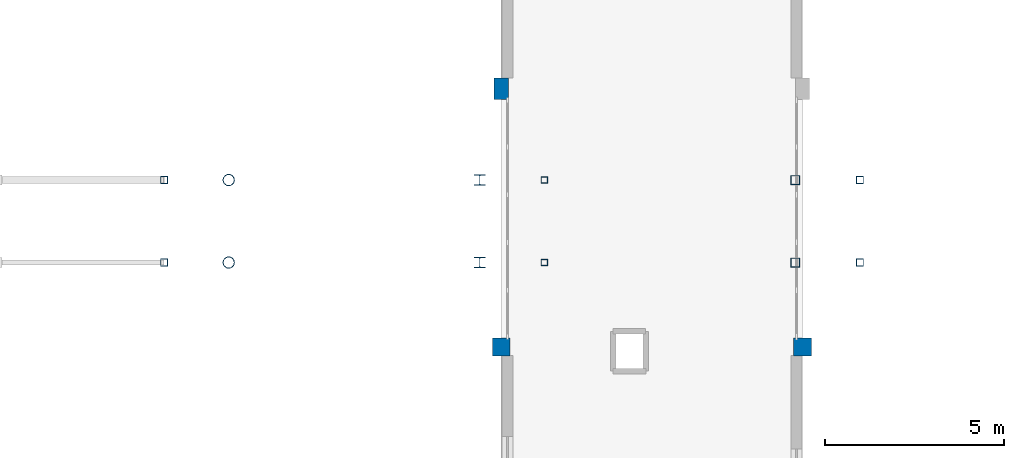
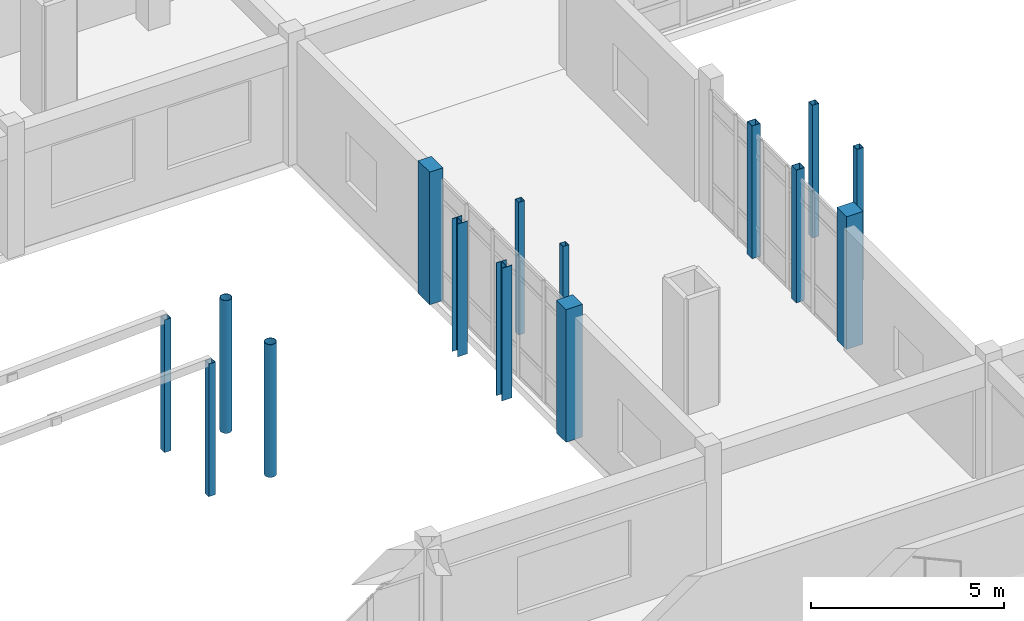
# One storey, part 15 of 89: 15 columns.
"""IFC4 building model written with IfcOpenShell, lengths in metres."""

from ifc_helpers import new_model, si_unit, direction, frame, origin, origin_2d, place, context, subcontext, project, spatial, rectangle, hollow_rectangle, hollow_circle, i_section, extrude, material, material_profile, profile_set, type_object, element, save


model = new_model("IFC4")

# Units and contexts
model_context = context("Model", 3, precision=1e-05, world=origin(), true_north=direction((0.0, 1.0)))
body_context = subcontext(model_context, "Body", "Model", "MODEL_VIEW")
ifc_project = project(units=[si_unit("LENGTHUNIT", "METRE"), si_unit("AREAUNIT", "SQUARE_METRE"), si_unit("VOLUMEUNIT", "CUBIC_METRE"), si_unit("PLANEANGLEUNIT", "RADIAN"), si_unit("MASSUNIT", "GRAM", prefix="KILO")], contexts=[model_context])

# Site, building, storey
site_placement = place(None, origin())
site = spatial("IfcSite", under=ifc_project, at=site_placement, CompositionType="ELEMENT")
building_placement = place(site_placement, origin())
building = spatial("IfcBuilding", under=site, at=building_placement, Name="Malvenik Polytechnic", CompositionType="ELEMENT")
storey_placement = place(building_placement, frame((0.0, 0.0, 13.5)))
storey = spatial("IfcBuildingStorey", under=building, at=storey_placement, Name="L03", CompositionType="ELEMENT", Elevation=13.5)

# Columns
ifc_material_1 = material(Name="Concrete C35/45", Category="concrete")
ifc_material_profile_1 = material_profile(ifc_material_1, rectangle(XDim=0.5, YDim=0.5, at=origin_2d()), Name="RC COL 500x500")
ifc_profile_set_1 = profile_set([ifc_material_profile_1], Name="Concrete C35/45")
column_type_1 = type_object("IfcColumnType", Name="STR-COL-C-08", PredefinedType="COLUMN", material=ifc_profile_set_1)
for number, where, z_axis, x_axis, name in (
    (1, (75.60009765625, 100.800048828125, 0.0), (0.0, 0.0, 1.0), (1.0, 0.0, 0.0), "Column C-08 L03 (75.6,100.8)"),
    (2, (84.0, 100.800048828125, 0.0), (0.0, 0.0, 1.0), (1.0, 0.0, 0.0), "Column C-08 L03 (84.0,100.8)"),
):
    element("IfcColumn", number, at=place(storey_placement, frame(where, z_axis=z_axis, x_axis=x_axis)), inside=storey, type_object=column_type_1, Name=name, PredefinedType="COLUMN", context=body_context, shape_type="SweptSolid", body=[
        extrude(rectangle(XDim=0.5, YDim=0.5, at=origin_2d()), origin(), (0.0, 0.0, 1.0), 4.199951171875),
    ])
ifc_material_profile_2 = material_profile(ifc_material_1, rectangle(XDim=0.39990234375, YDim=0.60009765625, at=origin_2d()), Name="RC COL 600x400")
ifc_profile_set_2 = profile_set([ifc_material_profile_2], Name="Concrete C35/45")
column_type_2 = type_object("IfcColumnType", Name="STR-COL-C-15", PredefinedType="COLUMN", material=ifc_profile_set_2)
column_placement = place(storey_placement, frame((75.60009765625, 108.0, 0.0), z_axis=(0.0, 0.0, 1.0), x_axis=(1.0, 0.0, 0.0)))
element("IfcColumn", 3, at=column_placement, inside=storey, type_object=column_type_2, Name="Column C-15 L03 (75.6,108.0)", PredefinedType="COLUMN", context=body_context, shape_type="SweptSolid", body=[
    extrude(rectangle(XDim=0.39990234375, YDim=0.60009765625, at=origin_2d()), origin(), (0.0, 0.0, 1.0), 4.199951171875),
])
ifc_material_2 = material(Name="Steel S355J2H", Category="steel")
ifc_material_profile_3 = material_profile(ifc_material_2, hollow_rectangle(XDim=0.25, YDim=0.25, WallThickness=0.010009765625, at=origin_2d()), Name="SHS 250x250x10.0")
ifc_profile_set_3 = profile_set([ifc_material_profile_3], Name="Steel S355J2H")
column_type_3 = type_object("IfcColumnType", Name="STR-SCOL-SC-01", PredefinedType="COLUMN", material=ifc_profile_set_3)
for number, where, z_axis, x_axis, name in (
    (4, (83.800048828125, 103.14990234375, 0.0), (0.0, 0.0, 1.0), (1.0, 0.0, 0.0), "Bridge-Ramp Support Column SC-01 L03"),
    (5, (83.800048828125, 105.449951171875, 0.0), (0.0, 0.0, 1.0), (1.0, 0.0, 0.0), "Bridge-Ramp Support Column SC-01 L03"),
):
    element("IfcColumn", number, at=place(storey_placement, frame(where, z_axis=z_axis, x_axis=x_axis)), inside=storey, type_object=column_type_3, Name=name, PredefinedType="COLUMN", context=body_context, shape_type="SweptSolid", body=[
        extrude(hollow_rectangle(XDim=0.25, YDim=0.25, WallThickness=0.010009765625, at=origin_2d()), origin(), (0.0, 0.0, 1.0), 4.199951171875),
    ])
ifc_material_profile_4 = material_profile(ifc_material_2, hollow_rectangle(XDim=0.199951171875, YDim=0.199951171875, WallThickness=0.010009765625, at=origin_2d()), Name="SHS 200x200x10.0")
ifc_profile_set_4 = profile_set([ifc_material_profile_4], Name="Steel S355J2H")
column_type_4 = type_object("IfcColumnType", Name="STR-SCOL-SC-02", PredefinedType="COLUMN", material=ifc_profile_set_4)
for number, where, z_axis, x_axis, name in (
    (6, (66.199951171875, 103.14990234375, 0.0), (0.0, 0.0, 1.0), (1.0, 0.0, 0.0), "Bridge-Ramp Support Column SC-02 L03"),
    (7, (66.199951171875, 105.449951171875, 0.0), (0.0, 0.0, 1.0), (1.0, 0.0, 0.0), "Bridge-Ramp Support Column SC-02 L03"),
    (8, (85.60009765625, 103.14990234375, 0.0), (0.0, 0.0, 1.0), (1.0, 0.0, 0.0), "Bridge-Ramp Support Column SC-02 L03"),
    (9, (85.60009765625, 105.449951171875, 0.0), (0.0, 0.0, 1.0), (1.0, 0.0, 0.0), "Bridge-Ramp Support Column SC-02 L03"),
):
    element("IfcColumn", number, at=place(storey_placement, frame(where, z_axis=z_axis, x_axis=x_axis)), inside=storey, type_object=column_type_4, Name=name, PredefinedType="COLUMN", context=body_context, shape_type="SweptSolid", body=[
        extrude(hollow_rectangle(XDim=0.199951171875, YDim=0.199951171875, WallThickness=0.010009765625, at=origin_2d()), origin(), (0.0, 0.0, 1.0), 4.199951171875),
    ])
ifc_material_profile_5 = material_profile(ifc_material_2, hollow_circle(Radius=0.161865234375, WallThickness=0.012451171875, at=origin_2d()), Name="CHS 323.9x12.5")
ifc_profile_set_5 = profile_set([ifc_material_profile_5], Name="Steel S355J2H")
column_type_5 = type_object("IfcColumnType", Name="STR-SCOL-SC-04", PredefinedType="COLUMN", material=ifc_profile_set_5)
for number, where, z_axis, x_axis, name in (
    (10, (68.0, 103.14990234375, 0.0), (0.0, 0.0, 1.0), (1.0, 0.0, 0.0), "Bridge-Ramp Support Column SC-04 L03"),
    (11, (68.0, 105.449951171875, 0.0), (0.0, 0.0, 1.0), (1.0, 0.0, 0.0), "Bridge-Ramp Support Column SC-04 L03"),
):
    element("IfcColumn", number, at=place(storey_placement, frame(where, z_axis=z_axis, x_axis=x_axis)), inside=storey, type_object=column_type_5, Name=name, PredefinedType="COLUMN", context=body_context, shape_type="SweptSolid", body=[
        extrude(hollow_circle(Radius=0.161865234375, WallThickness=0.012451171875, at=origin_2d()), origin(), (0.0, 0.0, 1.0), 4.199951171875),
    ])
ifc_material_3 = material(Name="Steel S355", Category="steel")
ifc_material_profile_6 = material_profile(ifc_material_3, i_section(OverallWidth=0.300048828125, OverallDepth=0.300048828125, WebThickness=0.010986328125, FlangeThickness=0.01904296875, FilletRadius=0.027099609375, at=origin_2d()), Name="HEB 300")
ifc_profile_set_6 = profile_set([ifc_material_profile_6], Name="Steel S355")
column_type_6 = type_object("IfcColumnType", Name="STR-SCOL-SC-05", PredefinedType="COLUMN", material=ifc_profile_set_6)
for number, where, z_axis, x_axis, name in (
    (12, (75.0, 103.14990234375, 0.0), (0.0, 0.0, 1.0), (1.0, 0.0, 0.0), "Bridge-Ramp Support Column SC-05 L03"),
    (13, (75.0, 105.449951171875, 0.0), (0.0, 0.0, 1.0), (1.0, 0.0, 0.0), "Bridge-Ramp Support Column SC-05 L03"),
):
    element("IfcColumn", number, at=place(storey_placement, frame(where, z_axis=z_axis, x_axis=x_axis)), inside=storey, type_object=column_type_6, Name=name, PredefinedType="COLUMN", context=body_context, shape_type="SweptSolid", body=[
        extrude(i_section(OverallWidth=0.300048828125, OverallDepth=0.300048828125, WebThickness=0.010986328125, FlangeThickness=0.01904296875, FilletRadius=0.027099609375, at=origin_2d()), origin(), (0.0, 0.0, 1.0), 4.199951171875),
    ])
ifc_material_profile_7 = material_profile(ifc_material_2, hollow_rectangle(XDim=0.179931640625, YDim=0.179931640625, WallThickness=0.008056640625, at=origin_2d()), Name="SHS 180x180x8.0")
ifc_profile_set_7 = profile_set([ifc_material_profile_7], Name="Steel S355J2H")
column_type_7 = type_object("IfcColumnType", Name="STR-SCOL-SC-06", PredefinedType="COLUMN", material=ifc_profile_set_7)
for number, where, z_axis, x_axis, name in (
    (14, (76.800048828125, 103.14990234375, 0.0), (0.0, 0.0, 1.0), (1.0, 0.0, 0.0), "Bridge-Ramp Support Column SC-06 L03"),
    (15, (76.800048828125, 105.449951171875, 0.0), (0.0, 0.0, 1.0), (1.0, 0.0, 0.0), "Bridge-Ramp Support Column SC-06 L03"),
):
    element("IfcColumn", number, at=place(storey_placement, frame(where, z_axis=z_axis, x_axis=x_axis)), inside=storey, type_object=column_type_7, Name=name, PredefinedType="COLUMN", context=body_context, shape_type="SweptSolid", body=[
        extrude(hollow_rectangle(XDim=0.179931640625, YDim=0.179931640625, WallThickness=0.008056640625, at=origin_2d()), origin(), (0.0, 0.0, 1.0), 4.199951171875),
    ])

save(model, "model.ifc")
